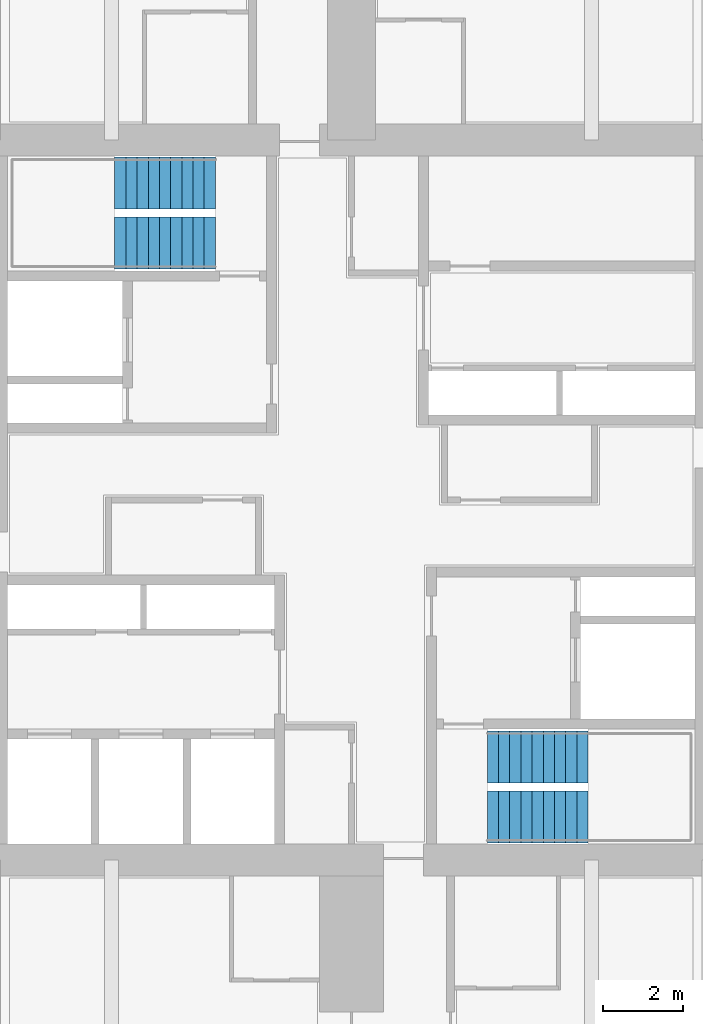
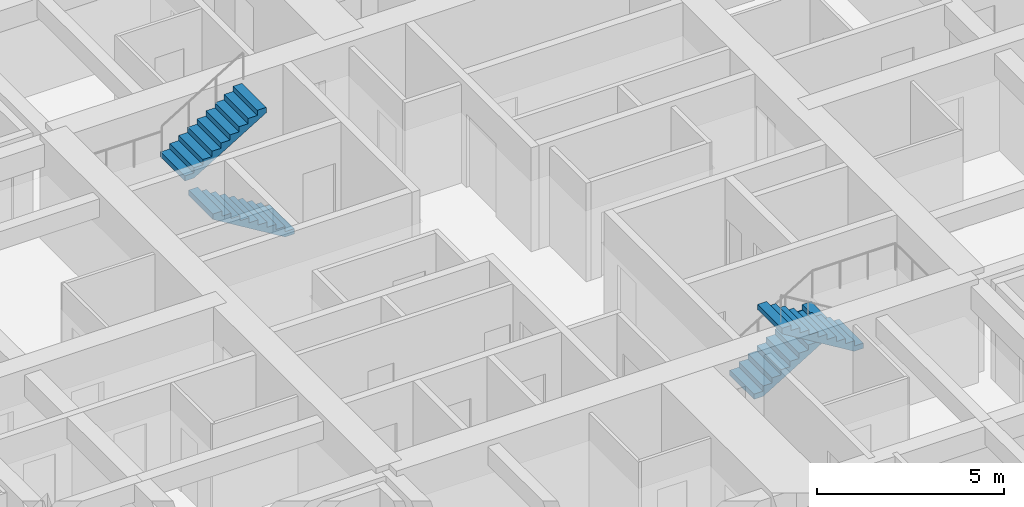
# One storey, part 13 of 14: 4 stair flights, 2 elements without a shape of their own.
"""IFC4 building model written with IfcOpenShell, lengths in metres."""

from ifc_helpers import new_model, si_unit, direction, frame, origin, place, context, subcontext, project, spatial, polyline, outline, extrude, material, type_object, element, aggregate, save


model = new_model("IFC4")

# Units and contexts
model_context = context("Model", 3, precision=1e-05, world=origin(), true_north=direction((0.0, 1.0)))
body_context = subcontext(model_context, "Body", "Model", "MODEL_VIEW")
ifc_project = project(units=[si_unit("LENGTHUNIT", "METRE"), si_unit("AREAUNIT", "SQUARE_METRE"), si_unit("VOLUMEUNIT", "CUBIC_METRE"), si_unit("PLANEANGLEUNIT", "RADIAN"), si_unit("MASSUNIT", "GRAM", prefix="KILO")], contexts=[model_context])

# Site, building, storey
site_placement = place(None, origin())
site = spatial("IfcSite", under=ifc_project, at=site_placement, CompositionType="ELEMENT")
building_placement = place(site_placement, origin())
building = spatial("IfcBuilding", under=site, at=building_placement, Name="Torre Cruceta", CompositionType="ELEMENT")
storey_placement = place(building_placement, frame((0.0, 0.0, 228.89990234375)))
storey = spatial("IfcBuildingStorey", under=building, at=storey_placement, Name="L58", CompositionType="ELEMENT", Elevation=228.89990234375)

# Stair, stair flights
ifc_material_1 = material(Name="Concrete G30 (fck 30 MPa)", Category="concrete")
stair_type = type_object("IfcStairType", Name="STAIR HALF-TURN 1300", PredefinedType="HALF_TURN_STAIR", material=ifc_material_1)
stair_1_placement = place(storey_placement, origin())
stair_1 = element("IfcStair", 1, at=stair_1_placement, inside=storey, type_object=stair_type, Name="Stair ST1 L58", PredefinedType="HALF_TURN_STAIR")
ifc_material_2 = material(Name="Concrete G30 (fck 30 MPa)", Category="concrete")
stair_flight_type = type_object("IfcStairFlightType", Name="STAIR FLIGHT 1300", PredefinedType="STRAIGHT", material=ifc_material_2)
stair_flight_1_placement = place(storey_placement, frame((-3.39990234375, 6.425048828125, 0.0), z_axis=(0.0, 0.0, 1.0), x_axis=(-1.0, 0.0, 0.0)))
stair_flight_1 = element("IfcStairFlight", 2, at=stair_flight_1_placement, type_object=stair_flight_type, Name="ST1 flight 1", NumberOfRisers=10, NumberOfTreads=9, PredefinedType="STRAIGHT", RiserHeight=0.17, TreadLength=0.28, context=body_context, shape_type="SweptSolid", body=[
    extrude(outline(polyline([(0.0, 0.0), (0.0, 0.169921875), (0.280029296875, 0.169921875), (0.280029296875, 0.340087890625), (0.56005859375, 0.340087890625), (0.56005859375, 0.510009765625), (0.840087890625, 0.510009765625), (0.840087890625, 0.679931640625), (1.1201171875, 0.679931640625), (1.1201171875, 0.85009765625), (1.39990234375, 0.85009765625), (1.39990234375, 1.02001953125), (1.679931640625, 1.02001953125), (1.679931640625, 1.18994140625), (1.9599609375, 1.18994140625), (1.9599609375, 1.360107421875), (2.239990234375, 1.360107421875), (2.239990234375, 1.530029296875), (2.52001953125, 1.530029296875), (2.52001953125, 1.699951171875), (2.52001953125, 1.354736328125), (0.288818359375, 0.0), (0.0, 0.0)])), frame((0.0, 0.64990234375, 0.0), z_axis=(0.0, -1.0, 0.0), x_axis=(1.0, 0.0, 0.0)), (0.0, 0.0, 1.0), 1.300048828125),
])
stair_flight_2_placement = place(storey_placement, frame((-5.919921875, 7.925048828125, 1.7001953125), z_axis=(0.0, 0.0, 1.0), x_axis=(1.0, 0.0, 0.0)))
stair_flight_2 = element("IfcStairFlight", 3, at=stair_flight_2_placement, type_object=stair_flight_type, Name="ST1 flight 2", NumberOfRisers=10, NumberOfTreads=9, PredefinedType="STRAIGHT", RiserHeight=0.17, TreadLength=0.28, context=body_context, shape_type="SweptSolid", body=[
    extrude(outline(polyline([(0.0, 0.0), (0.0, 0.169921875), (0.280029296875, 0.169921875), (0.280029296875, 0.340087890625), (0.56005859375, 0.340087890625), (0.56005859375, 0.510009765625), (0.840087890625, 0.510009765625), (0.840087890625, 0.679931640625), (1.1201171875, 0.679931640625), (1.1201171875, 0.85009765625), (1.39990234375, 0.85009765625), (1.39990234375, 1.02001953125), (1.679931640625, 1.02001953125), (1.679931640625, 1.18994140625), (1.9599609375, 1.18994140625), (1.9599609375, 1.360107421875), (2.239990234375, 1.360107421875), (2.239990234375, 1.530029296875), (2.52001953125, 1.530029296875), (2.52001953125, 1.699951171875), (2.52001953125, 1.354736328125), (0.288818359375, 0.0), (0.0, 0.0)])), frame((0.0, 0.64990234375, 0.0), z_axis=(0.0, -1.0, 0.0), x_axis=(1.0, 0.0, 0.0)), (0.0, 0.0, 1.0), 1.300048828125),
])
aggregate(stair_1, [stair_flight_1, stair_flight_2])

stair_2_placement = place(storey_placement, origin())
stair_2 = element("IfcStair", 4, at=stair_2_placement, inside=storey, type_object=stair_type, Name="Stair ST2 L58", PredefinedType="HALF_TURN_STAIR")
stair_flight_3_placement = place(storey_placement, frame((3.39990234375, -6.425048828125, 0.0), z_axis=(0.0, 0.0, 1.0), x_axis=(1.0, 0.0, 0.0)))
stair_flight_3 = element("IfcStairFlight", 5, at=stair_flight_3_placement, type_object=stair_flight_type, Name="ST2 flight 1", NumberOfRisers=10, NumberOfTreads=9, PredefinedType="STRAIGHT", RiserHeight=0.17, TreadLength=0.28, context=body_context, shape_type="SweptSolid", body=[
    extrude(outline(polyline([(0.0, 0.0), (0.0, 0.169921875), (0.280029296875, 0.169921875), (0.280029296875, 0.340087890625), (0.56005859375, 0.340087890625), (0.56005859375, 0.510009765625), (0.840087890625, 0.510009765625), (0.840087890625, 0.679931640625), (1.1201171875, 0.679931640625), (1.1201171875, 0.85009765625), (1.39990234375, 0.85009765625), (1.39990234375, 1.02001953125), (1.679931640625, 1.02001953125), (1.679931640625, 1.18994140625), (1.9599609375, 1.18994140625), (1.9599609375, 1.360107421875), (2.239990234375, 1.360107421875), (2.239990234375, 1.530029296875), (2.52001953125, 1.530029296875), (2.52001953125, 1.699951171875), (2.52001953125, 1.354736328125), (0.288818359375, 0.0), (0.0, 0.0)])), frame((0.0, 0.64990234375, 0.0), z_axis=(0.0, -1.0, 0.0), x_axis=(1.0, 0.0, 0.0)), (0.0, 0.0, 1.0), 1.300048828125),
])
stair_flight_4_placement = place(storey_placement, frame((5.919921875, -7.925048828125, 1.7001953125), z_axis=(0.0, 0.0, 1.0), x_axis=(-1.0, 0.0, 0.0)))
stair_flight_4 = element("IfcStairFlight", 6, at=stair_flight_4_placement, type_object=stair_flight_type, Name="ST2 flight 2", NumberOfRisers=10, NumberOfTreads=9, PredefinedType="STRAIGHT", RiserHeight=0.17, TreadLength=0.28, context=body_context, shape_type="SweptSolid", body=[
    extrude(outline(polyline([(0.0, 0.0), (0.0, 0.169921875), (0.280029296875, 0.169921875), (0.280029296875, 0.340087890625), (0.56005859375, 0.340087890625), (0.56005859375, 0.510009765625), (0.840087890625, 0.510009765625), (0.840087890625, 0.679931640625), (1.1201171875, 0.679931640625), (1.1201171875, 0.85009765625), (1.39990234375, 0.85009765625), (1.39990234375, 1.02001953125), (1.679931640625, 1.02001953125), (1.679931640625, 1.18994140625), (1.9599609375, 1.18994140625), (1.9599609375, 1.360107421875), (2.239990234375, 1.360107421875), (2.239990234375, 1.530029296875), (2.52001953125, 1.530029296875), (2.52001953125, 1.699951171875), (2.52001953125, 1.354736328125), (0.288818359375, 0.0), (0.0, 0.0)])), frame((0.0, 0.64990234375, 0.0), z_axis=(0.0, -1.0, 0.0), x_axis=(1.0, 0.0, 0.0)), (0.0, 0.0, 1.0), 1.300048828125),
])
aggregate(stair_2, [stair_flight_3, stair_flight_4])

save(model, "model.ifc")
